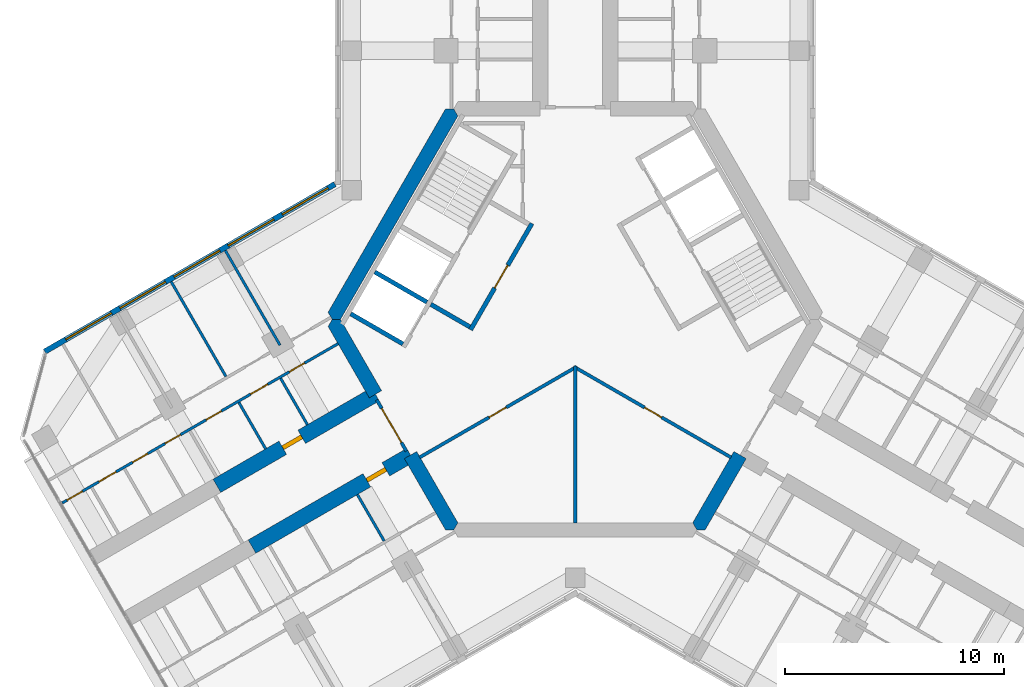
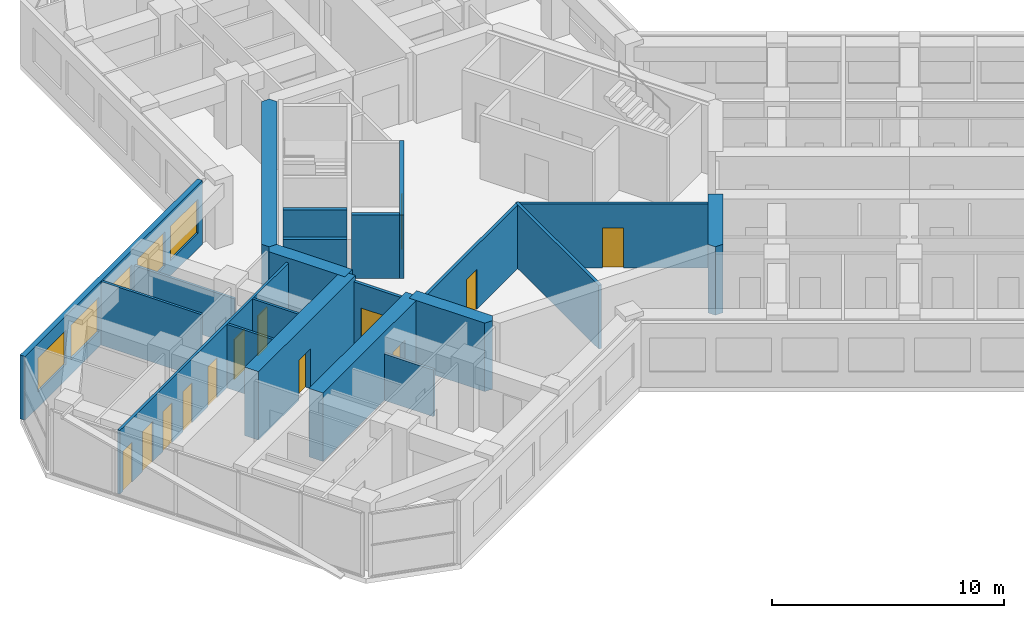
# One storey, part 9 of 16: 21 walls, 13 doors, 5 windows, 18 openings.
"""IFC4 building model written with IfcOpenShell, lengths in metres."""

from ifc_helpers import new_model, si_unit, direction, frame, frame_2d, origin, place, context, subcontext, project, spatial, polyline, rectangle, outline, extrude, material, layer, layer_set, type_object, element, fill, save


model = new_model("IFC4")

# Units and contexts
model_context = context("Model", 3, precision=1e-05, world=origin(), true_north=direction((0.0, 1.0)))
body_context = subcontext(model_context, "Body", "Model", "MODEL_VIEW")
ifc_project = project(units=[si_unit("LENGTHUNIT", "METRE"), si_unit("AREAUNIT", "SQUARE_METRE"), si_unit("VOLUMEUNIT", "CUBIC_METRE"), si_unit("PLANEANGLEUNIT", "RADIAN"), si_unit("MASSUNIT", "GRAM", prefix="KILO")], contexts=[model_context])

# Site, building, storey
site_placement = place(None, origin())
site = spatial("IfcSite", under=ifc_project, at=site_placement, CompositionType="ELEMENT")
building_placement = place(site_placement, origin())
building = spatial("IfcBuilding", under=site, at=building_placement, Name="Kosmar Iwan School Tower", CompositionType="ELEMENT")
storey_placement = place(building_placement, frame((0.0, 0.0, 204.60009765625)))
storey = spatial("IfcBuildingStorey", under=building, at=storey_placement, Name="L51", CompositionType="ELEMENT", Elevation=204.60009765625)

# Wall
ifc_material_1 = material(Name="Gypsum board on steel studs, fire-rated", Category="steel")
ifc_layer_1 = layer(ifc_material_1, 0.14990234375)
ifc_layer_set_1 = layer_set([ifc_layer_1], Name="Core room partition 150")
wall_type_1 = type_object("IfcWallType", Name="Core room partition 150", PredefinedType="PARTITIONING", material=ifc_layer_set_1)
wall_1_placement = place(storey_placement, frame((0.0, -9.294921875, 0.0), z_axis=(0.0, 0.0, 1.0), x_axis=(0.0, 1.0, 0.0)))
element("IfcWall", 1, at=wall_1_placement, inside=storey, type_object=wall_type_1, Name="Core room partition L51-CW5", PredefinedType="PARTITIONING", context=body_context, shape_type="SweptSolid", body=[
    extrude(rectangle(XDim=7.176025390625, YDim=0.14990234375, at=frame_2d((3.587890625, 0.0))), origin(), (0.0, 0.0, 1.0), 3.349853515625),
])

# Wall, opening, door
wall_2_placement = place(storey_placement, frame((-0.06494140625, -2.156494140625, 0.0), z_axis=(0.0, 0.0, 1.0), x_axis=(0.866024394272, -0.500001748523, 0.0)))
wall_2 = element("IfcWall", 2, at=wall_2_placement, inside=storey, type_object=wall_type_1, Name="Core room partition L51-CW6", PredefinedType="PARTITIONING", context=body_context, shape_type="SweptSolid", body=[
    extrude(rectangle(XDim=8.27294921875, YDim=0.14990234375, at=frame_2d((4.136474609375, 0.0))), origin(), (0.0, 0.0, 1.0), 3.349853515625),
])
opening_1_placement = place(wall_2_placement, frame((3.721923828125, 0.0, 0.0)))
opening_1 = element("IfcOpeningElement", 3, at=opening_1_placement, cuts=wall_2, Name="Opening D14", PredefinedType="OPENING", context=body_context, shape_type="SweptSolid", body=[
    extrude(rectangle(XDim=0.89990234375, YDim=2.10009765625, at=frame_2d((0.449951171875, 1.050048828125))), frame((0.0, 0.0869140625, 0.0), z_axis=(0.0, -1.0, 0.0), x_axis=(1.0, 0.0, 0.0)), (0.0, 0.0, 1.0), 0.173828125),
])
ifc_material_2 = material(Name="Timber fire door in steel frame", Category="steel")
door_type_1 = type_object("IfcDoorType", Name="Core room door 900x2100", OperationType="SINGLE_SWING_LEFT", PredefinedType="DOOR", material=ifc_material_2)
door_1_placement = place(opening_1_placement, origin())
door_1 = element("IfcDoor", 4, at=door_1_placement, inside=storey, type_object=door_type_1, Name="Refuse and recycling room door L51 3", OperationType="SINGLE_SWING_RIGHT", OverallHeight=2.10009765625, OverallWidth=0.89990234375, PredefinedType="DOOR", context=body_context, shape_type="SweptSolid", body=[
    extrude(rectangle(XDim=0.89990234375, YDim=2.10009765625, at=frame_2d((0.449951171875, 1.050048828125))), frame((0.0, 0.02490234375, 0.0), z_axis=(0.0, -1.0, 0.0), x_axis=(1.0, 0.0, 0.0)), (0.0, 0.0, 1.0), 0.050048828125),
])
fill(opening_1, door_1)

wall_3_placement = place(storey_placement, frame((-7.099609375, -6.29296875, 0.0), z_axis=(0.0, 0.0, 1.0), x_axis=(0.866024394272, 0.500001748523, 0.0)))
wall_3 = element("IfcWall", 5, at=wall_3_placement, inside=storey, type_object=wall_type_1, Name="Core room partition L51-CW7", PredefinedType="PARTITIONING", context=body_context, shape_type="SweptSolid", body=[
    extrude(rectangle(XDim=8.27294921875, YDim=0.14990234375, at=frame_2d((4.136474609375, 0.0))), origin(), (0.0, 0.0, 1.0), 3.349853515625),
])
opening_2_placement = place(wall_3_placement, frame((3.652099609375, 0.0, 0.0)))
opening_2 = element("IfcOpeningElement", 6, at=opening_2_placement, cuts=wall_3, Name="Opening D14", PredefinedType="OPENING", context=body_context, shape_type="SweptSolid", body=[
    extrude(rectangle(XDim=0.89990234375, YDim=2.10009765625, at=frame_2d((0.449951171875, 1.050048828125))), frame((0.0, 0.0869140625, 0.0), z_axis=(0.0, -1.0, 0.0), x_axis=(1.0, 0.0, 0.0)), (0.0, 0.0, 1.0), 0.173828125),
])
door_2_placement = place(opening_2_placement, origin())
door_2 = element("IfcDoor", 7, at=door_2_placement, inside=storey, type_object=door_type_1, Name="Bulky waste store door L51 4", OperationType="SINGLE_SWING_LEFT", OverallHeight=2.10009765625, OverallWidth=0.89990234375, PredefinedType="DOOR", context=body_context, shape_type="SweptSolid", body=[
    extrude(rectangle(XDim=0.89990234375, YDim=2.10009765625, at=frame_2d((0.449951171875, 1.050048828125))), frame((0.0, 0.02490234375, 0.0), z_axis=(0.0, -1.0, 0.0), x_axis=(1.0, 0.0, 0.0)), (0.0, 0.0, 1.0), 0.050048828125),
])
fill(opening_2, door_2)

# Walls
ifc_material_3 = material(Name="Concrete C50/60", Category="concrete")
ifc_layer_2 = layer(ifc_material_3, 0.64990234375)
ifc_layer_set_2 = layer_set([ifc_layer_2], Name="Core wall 650")
wall_type_2 = type_object("IfcWallType", Name="Core wall 650", PredefinedType="SHEAR", material=ifc_layer_set_2)
wall_4_placement = place(storey_placement, origin())
element("IfcWall", 8, at=wall_4_placement, inside=storey, type_object=wall_type_2, Name="Core wall F150", PredefinedType="SHEAR", context=body_context, shape_type="SweptSolid", body=[
    extrude(outline(polyline([(-11.085205078125, 0.0), (-10.7099609375, 0.0), (-5.35498046875, 9.27490234375), (-5.54248046875, 9.60009765625), (-5.917724609375, 9.60009765625), (-11.272705078125, 0.324951171875), (-11.085205078125, 0.0)])), origin(), (0.0, 0.0, 1.0), 3.599853515625),
])
wall_5_placement = place(storey_placement, origin())
element("IfcWall", 9, at=wall_5_placement, inside=storey, type_object=wall_type_2, Name="Core wall F210a", PredefinedType="SHEAR", context=body_context, shape_type="SweptSolid", body=[
    extrude(outline(polyline([(-9.395263671875, -3.576904296875), (-8.832275390625, -3.251953125), (-10.7099609375, 0.0), (-11.085205078125, 0.0), (-11.272705078125, -0.324951171875), (-9.395263671875, -3.576904296875)])), origin(), (0.0, 0.0, 1.0), 3.599853515625),
])
wall_6_placement = place(storey_placement, origin())
element("IfcWall", 10, at=wall_6_placement, inside=storey, type_object=wall_type_2, Name="Core wall F210b", PredefinedType="SHEAR", context=body_context, shape_type="SweptSolid", body=[
    extrude(outline(polyline([(-5.917724609375, -9.60009765625), (-5.54248046875, -9.60009765625), (-5.35498046875, -9.27490234375), (-7.232421875, -6.023193359375), (-7.79541015625, -6.34814453125), (-5.917724609375, -9.60009765625)])), origin(), (0.0, 0.0, 1.0), 3.599853515625),
])
wall_7_placement = place(storey_placement, origin())
element("IfcWall", 11, at=wall_7_placement, inside=storey, type_object=wall_type_2, Name="Core wall F330a", PredefinedType="SHEAR", context=body_context, shape_type="SweptSolid", body=[
    extrude(outline(polyline([(5.54248046875, -9.60009765625), (5.917724609375, -9.60009765625), (7.79541015625, -6.34814453125), (7.232421875, -6.023193359375), (5.35498046875, -9.27490234375), (5.54248046875, -9.60009765625)])), origin(), (0.0, 0.0, 1.0), 3.599853515625),
])

# Wall, opening, door
ifc_material_4 = material(Name="Concrete C50/60", Category="concrete")
ifc_layer_3 = layer(ifc_material_4, 0.699951171875)
ifc_layer_set_3 = layer_set([ifc_layer_3], Name="Corridor buttress wall 700")
wall_type_3 = type_object("IfcWallType", Name="Corridor buttress wall 700", PredefinedType="SHEAR", material=ifc_layer_set_3)
wall_8_placement = place(storey_placement, frame((-7.513916015625, -6.185546875, 0.0), z_axis=(0.0, 0.0, 1.0), x_axis=(-0.866019549707, -0.500010139422, 0.0)))
wall_8 = element("IfcWall", 12, at=wall_8_placement, inside=storey, type_object=wall_type_3, Name="Corridor wall BL", PredefinedType="SHEAR", context=body_context, shape_type="SweptSolid", body=[
    extrude(rectangle(XDim=8.349853515625, YDim=0.699951171875, at=frame_2d((4.1748046875, 0.0))), origin(), (0.0, 0.0, 1.0), 3.599853515625),
])
opening_3_placement = place(wall_8_placement, frame((1.300048828125, 0.0, 0.0)))
opening_3 = element("IfcOpeningElement", 13, at=opening_3_placement, cuts=wall_8, Name="Opening D1", PredefinedType="OPENING", context=body_context, shape_type="SweptSolid", body=[
    extrude(rectangle(XDim=1.0, YDim=2.10009765625, at=frame_2d((0.5, 1.050048828125))), frame((0.0, 0.362060546875, 0.0), z_axis=(0.0, -1.0, 0.0), x_axis=(1.0, 0.0, 0.0)), (0.0, 0.0, 1.0), 0.723876953125),
])
ifc_material_5 = material(Name="Timber fire door in steel frame", Category="steel")
door_type_2 = type_object("IfcDoorType", Name="Flat entrance door 1000x2100", OperationType="SINGLE_SWING_LEFT", PredefinedType="DOOR", material=ifc_material_5)
door_3_placement = place(opening_3_placement, origin())
door_3 = element("IfcDoor", 14, at=door_3_placement, inside=storey, type_object=door_type_2, Name="Flat L51-BL1 entrance door", OperationType="SINGLE_SWING_RIGHT", OverallHeight=2.10009765625, OverallWidth=1.0, PredefinedType="DOOR", context=body_context, shape_type="SweptSolid", body=[
    extrude(rectangle(XDim=1.0, YDim=2.10009765625, at=frame_2d((0.5, 1.050048828125))), frame((0.0, 0.10009765625, 0.0), z_axis=(0.0, -1.0, 0.0), x_axis=(1.0, 0.0, 0.0)), (0.0, 0.0, 1.0), 0.199951171875),
])
fill(opening_3, door_3)

wall_9_placement = place(storey_placement, frame((-9.11376953125, -3.414306640625, 0.0), z_axis=(0.0, 0.0, 1.0), x_axis=(-0.866026859388, -0.499997478812, 0.0)))
wall_9 = element("IfcWall", 15, at=wall_9_placement, inside=storey, type_object=wall_type_3, Name="Corridor wall BR", PredefinedType="SHEAR", context=body_context, shape_type="SweptSolid", body=[
    extrude(rectangle(XDim=8.35009765625, YDim=0.699951171875, at=frame_2d((4.175048828125, 0.0))), origin(), (0.0, 0.0, 1.0), 3.599853515625),
])
opening_4_placement = place(wall_9_placement, frame((3.8798828125, 0.0, 0.0)))
opening_4 = element("IfcOpeningElement", 16, at=opening_4_placement, cuts=wall_9, Name="Opening D1", PredefinedType="OPENING", context=body_context, shape_type="SweptSolid", body=[
    extrude(rectangle(XDim=1.0, YDim=2.10009765625, at=frame_2d((0.5, 1.050048828125))), frame((0.0, 0.362060546875, 0.0), z_axis=(0.0, -1.0, 0.0), x_axis=(1.0, 0.0, 0.0)), (0.0, 0.0, 1.0), 0.723876953125),
])
door_4_placement = place(opening_4_placement, origin())
door_4 = element("IfcDoor", 17, at=door_4_placement, inside=storey, type_object=door_type_2, Name="Flat L51-BR1 entrance door", OperationType="SINGLE_SWING_RIGHT", OverallHeight=2.10009765625, OverallWidth=1.0, PredefinedType="DOOR", context=body_context, shape_type="SweptSolid", body=[
    extrude(rectangle(XDim=1.0, YDim=2.10009765625, at=frame_2d((0.5, 1.050048828125))), frame((0.0, 0.10009765625, 0.0), z_axis=(0.0, -1.0, 0.0), x_axis=(1.0, 0.0, 0.0)), (0.0, 0.0, 1.0), 0.199951171875),
])
fill(opening_4, door_4)

ifc_material_6 = material(Name="Steel framed glazed screen", Category="steel")
ifc_layer_4 = layer(ifc_material_6, 0.14990234375)
ifc_layer_set_4 = layer_set([ifc_layer_4], Name="Corridor screen wall 150")
wall_type_4 = type_object("IfcWallType", Name="Corridor screen wall 150", PredefinedType="PARTITIONING", material=ifc_layer_set_4)
wall_10_placement = place(storey_placement, frame((-9.0537109375, -3.66845703125, 0.0), z_axis=(0.0, 0.0, 1.0), x_axis=(0.499980770555, -0.866036505625, 0.0)))
wall_10 = element("IfcWall", 18, at=wall_10_placement, inside=storey, type_object=wall_type_4, Name="Corridor screen B L51", PredefinedType="PARTITIONING", context=body_context, shape_type="SweptSolid", body=[
    extrude(rectangle(XDim=2.69970703125, YDim=0.14990234375, at=frame_2d((1.349853515625, 0.0))), origin(), (0.0, 0.0, 1.0), 3.349853515625),
])
opening_5_placement = place(wall_10_placement, frame((0.449951171875, 0.0, 0.0)))
opening_5 = element("IfcOpeningElement", 19, at=opening_5_placement, cuts=wall_10, Name="Opening D9", PredefinedType="OPENING", context=body_context, shape_type="SweptSolid", body=[
    extrude(rectangle(XDim=1.800048828125, YDim=2.10009765625, at=frame_2d((0.89990234375, 1.050048828125))), frame((0.0, 0.0869140625, 0.0), z_axis=(0.0, -1.0, 0.0), x_axis=(1.0, 0.0, 0.0)), (0.0, 0.0, 1.0), 0.173828125),
])
ifc_material_7 = material(Name="Steel framed glazed smoke door", Category="steel")
door_type_3 = type_object("IfcDoorType", Name="Corridor smoke door pair 1800x2100", OperationType="DOUBLE_DOOR_DOUBLE_SWING", PredefinedType="DOOR", material=ifc_material_7)
door_5_placement = place(opening_5_placement, origin())
door_5 = element("IfcDoor", 20, at=door_5_placement, inside=storey, type_object=door_type_3, Name="Corridor doors B L51", OperationType="DOUBLE_DOOR_DOUBLE_SWING", OverallHeight=2.10009765625, OverallWidth=1.800048828125, PredefinedType="DOOR", context=body_context, shape_type="SweptSolid", body=[
    extrude(rectangle(XDim=1.800048828125, YDim=2.10009765625, at=frame_2d((0.89990234375, 1.050048828125))), frame((0.0, 0.02490234375, 0.0), z_axis=(0.0, -1.0, 0.0), x_axis=(1.0, 0.0, 0.0)), (0.0, 0.0, 1.0), 0.050048828125),
])
fill(opening_5, door_5)

# Wall
ifc_material_8 = material(Name="Gypsum board on steel studs", Category="steel")
ifc_layer_5 = layer(ifc_material_8, 0.1201171875)
ifc_layer_set_5 = layer_set([ifc_layer_5], Name="Dwelling partition 120")
wall_type_5 = type_object("IfcWallType", Name="Dwelling partition 120", PredefinedType="PARTITIONING", material=ifc_layer_set_5)
wall_11_placement = place(storey_placement, frame((-9.93701171875, -7.98876953125, 0.0), z_axis=(0.0, 0.0, 1.0), x_axis=(0.500077547548, -0.865980627057, 0.0)))
element("IfcWall", 21, at=wall_11_placement, inside=storey, type_object=wall_type_5, Name="Partition L51-BL1-Y1", PredefinedType="PARTITIONING", context=body_context, shape_type="SweptSolid", body=[
    extrude(rectangle(XDim=2.43994140625, YDim=0.1201171875, at=frame_2d((1.219970703125, 0.0))), origin(), (0.0, 0.0, 1.0), 2.449951171875),
])

# Wall, openings, doors
wall_12_placement = place(storey_placement, frame((-10.8203125, -1.108642578125, 0.0), z_axis=(0.0, 0.0, 1.0), x_axis=(-0.866025425371, -0.499999962611, 0.0)))
wall_12 = element("IfcWall", 22, at=wall_12_placement, inside=storey, type_object=wall_type_5, Name="Partition L51-BR1-W1", PredefinedType="PARTITIONING", context=body_context, shape_type="SweptSolid", body=[
    extrude(rectangle(XDim=14.52001953125, YDim=0.1201171875, at=frame_2d((7.260009765625, 0.0))), origin(), (0.0, 0.0, 1.0), 3.349853515625),
])
opening_6_placement = place(wall_12_placement, frame((1.764892578125, 0.0, 0.0)))
opening_6 = element("IfcOpeningElement", 23, at=opening_6_placement, cuts=wall_12, Name="Opening D3", PredefinedType="OPENING", context=body_context, shape_type="SweptSolid", body=[
    extrude(rectangle(XDim=0.800048828125, YDim=2.10009765625, at=frame_2d((0.39990234375, 1.050048828125))), frame((0.0, 0.072021484375, 0.0), z_axis=(0.0, -1.0, 0.0), x_axis=(1.0, 0.0, 0.0)), (0.0, 0.0, 1.0), 0.14404296875),
])
opening_7_placement = place(wall_12_placement, frame((3.705078125, 0.0, 0.0)))
opening_7 = element("IfcOpeningElement", 24, at=opening_7_placement, cuts=wall_12, Name="Opening D2", PredefinedType="OPENING", context=body_context, shape_type="SweptSolid", body=[
    extrude(rectangle(XDim=0.89990234375, YDim=2.10009765625, at=frame_2d((0.449951171875, 1.050048828125))), frame((0.0, 0.072021484375, 0.0), z_axis=(0.0, -1.0, 0.0), x_axis=(1.0, 0.0, 0.0)), (0.0, 0.0, 1.0), 0.14404296875),
])
opening_8_placement = place(wall_12_placement, frame((6.146484375, 0.0, 0.0)))
opening_8 = element("IfcOpeningElement", 25, at=opening_8_placement, cuts=wall_12, Name="Opening D3", PredefinedType="OPENING", context=body_context, shape_type="SweptSolid", body=[
    extrude(rectangle(XDim=0.800048828125, YDim=2.10009765625, at=frame_2d((0.39990234375, 1.050048828125))), frame((0.0, 0.072021484375, 0.0), z_axis=(0.0, -1.0, 0.0), x_axis=(1.0, 0.0, 0.0)), (0.0, 0.0, 1.0), 0.14404296875),
])
opening_9_placement = place(wall_12_placement, frame((8.298583984375, 0.0, 0.0)))
opening_9 = element("IfcOpeningElement", 26, at=opening_9_placement, cuts=wall_12, Name="Opening D3", PredefinedType="OPENING", context=body_context, shape_type="SweptSolid", body=[
    extrude(rectangle(XDim=0.800048828125, YDim=2.10009765625, at=frame_2d((0.39990234375, 1.050048828125))), frame((0.0, 0.072021484375, 0.0), z_axis=(0.0, -1.0, 0.0), x_axis=(1.0, 0.0, 0.0)), (0.0, 0.0, 1.0), 0.14404296875),
])
opening_10_placement = place(wall_12_placement, frame((10.0205078125, 0.0, 0.0)))
opening_10 = element("IfcOpeningElement", 27, at=opening_10_placement, cuts=wall_12, Name="Opening D3", PredefinedType="OPENING", context=body_context, shape_type="SweptSolid", body=[
    extrude(rectangle(XDim=0.800048828125, YDim=2.10009765625, at=frame_2d((0.39990234375, 1.050048828125))), frame((0.0, 0.072021484375, 0.0), z_axis=(0.0, -1.0, 0.0), x_axis=(1.0, 0.0, 0.0)), (0.0, 0.0, 1.0), 0.14404296875),
])
opening_11_placement = place(wall_12_placement, frame((11.6923828125, 0.0, 0.0)))
opening_11 = element("IfcOpeningElement", 28, at=opening_11_placement, cuts=wall_12, Name="Opening D2", PredefinedType="OPENING", context=body_context, shape_type="SweptSolid", body=[
    extrude(rectangle(XDim=0.89990234375, YDim=2.10009765625, at=frame_2d((0.449951171875, 1.050048828125))), frame((0.0, 0.072021484375, 0.0), z_axis=(0.0, -1.0, 0.0), x_axis=(1.0, 0.0, 0.0)), (0.0, 0.0, 1.0), 0.14404296875),
])
opening_12_placement = place(wall_12_placement, frame((13.464111328125, 0.0, 0.0)))
opening_12 = element("IfcOpeningElement", 29, at=opening_12_placement, cuts=wall_12, Name="Opening D3", PredefinedType="OPENING", context=body_context, shape_type="SweptSolid", body=[
    extrude(rectangle(XDim=0.800048828125, YDim=2.10009765625, at=frame_2d((0.39990234375, 1.050048828125))), frame((0.0, 0.072021484375, 0.0), z_axis=(0.0, -1.0, 0.0), x_axis=(1.0, 0.0, 0.0)), (0.0, 0.0, 1.0), 0.14404296875),
])
ifc_material_9 = material(Name="Timber door in timber frame", Category="wood")
door_type_4 = type_object("IfcDoorType", Name="Internal door 900x2100", OperationType="SINGLE_SWING_LEFT", PredefinedType="DOOR", material=ifc_material_9)
door_6_placement = place(opening_7_placement, origin())
door_6 = element("IfcDoor", 30, at=door_6_placement, inside=storey, type_object=door_type_4, Name="Entrance hall door L51-BR1-S2", OperationType="SINGLE_SWING_LEFT", OverallHeight=2.10009765625, OverallWidth=0.89990234375, PredefinedType="DOOR", context=body_context, shape_type="SweptSolid", body=[
    extrude(rectangle(XDim=0.89990234375, YDim=2.10009765625, at=frame_2d((0.449951171875, 1.050048828125))), frame((0.0, 0.02490234375, 0.0), z_axis=(0.0, -1.0, 0.0), x_axis=(1.0, 0.0, 0.0)), (0.0, 0.0, 1.0), 0.050048828125),
])
fill(opening_7, door_6)
door_7_placement = place(opening_11_placement, origin())
door_7 = element("IfcDoor", 31, at=door_7_placement, inside=storey, type_object=door_type_4, Name="Pantry door L51-BR1-S6", OperationType="SINGLE_SWING_LEFT", OverallHeight=2.10009765625, OverallWidth=0.89990234375, PredefinedType="DOOR", context=body_context, shape_type="SweptSolid", body=[
    extrude(rectangle(XDim=0.89990234375, YDim=2.10009765625, at=frame_2d((0.449951171875, 1.050048828125))), frame((0.0, 0.02490234375, 0.0), z_axis=(0.0, -1.0, 0.0), x_axis=(1.0, 0.0, 0.0)), (0.0, 0.0, 1.0), 0.050048828125),
])
fill(opening_11, door_7)
ifc_material_10 = material(Name="Timber door in timber frame", Category="wood")
door_type_5 = type_object("IfcDoorType", Name="Sanitary room door 800x2100", OperationType="SINGLE_SWING_LEFT", PredefinedType="DOOR", material=ifc_material_10)
door_8_placement = place(opening_6_placement, origin())
door_8 = element("IfcDoor", 32, at=door_8_placement, inside=storey, type_object=door_type_5, Name="WC door L51-BR1-S1", OperationType="SINGLE_SWING_RIGHT", OverallHeight=2.10009765625, OverallWidth=0.800048828125, PredefinedType="DOOR", context=body_context, shape_type="SweptSolid", body=[
    extrude(rectangle(XDim=0.800048828125, YDim=2.10009765625, at=frame_2d((0.39990234375, 1.050048828125))), frame((0.0, 0.02490234375, 0.0), z_axis=(0.0, -1.0, 0.0), x_axis=(1.0, 0.0, 0.0)), (0.0, 0.0, 1.0), 0.050048828125),
])
fill(opening_6, door_8)
door_9_placement = place(opening_8_placement, origin())
door_9 = element("IfcDoor", 33, at=door_9_placement, inside=storey, type_object=door_type_5, Name="Bathroom door L51-BR1-S3", OperationType="SINGLE_SWING_RIGHT", OverallHeight=2.10009765625, OverallWidth=0.800048828125, PredefinedType="DOOR", context=body_context, shape_type="SweptSolid", body=[
    extrude(rectangle(XDim=0.800048828125, YDim=2.10009765625, at=frame_2d((0.39990234375, 1.050048828125))), frame((0.0, 0.02490234375, 0.0), z_axis=(0.0, -1.0, 0.0), x_axis=(1.0, 0.0, 0.0)), (0.0, 0.0, 1.0), 0.050048828125),
])
fill(opening_8, door_9)
door_10_placement = place(opening_9_placement, origin())
door_10 = element("IfcDoor", 34, at=door_10_placement, inside=storey, type_object=door_type_5, Name="Grandparents' shower room door L51-BR1-S4", OperationType="SINGLE_SWING_LEFT", OverallHeight=2.10009765625, OverallWidth=0.800048828125, PredefinedType="DOOR", context=body_context, shape_type="SweptSolid", body=[
    extrude(rectangle(XDim=0.800048828125, YDim=2.10009765625, at=frame_2d((0.39990234375, 1.050048828125))), frame((0.0, 0.02490234375, 0.0), z_axis=(0.0, -1.0, 0.0), x_axis=(1.0, 0.0, 0.0)), (0.0, 0.0, 1.0), 0.050048828125),
])
fill(opening_9, door_10)
door_11_placement = place(opening_10_placement, origin())
door_11 = element("IfcDoor", 35, at=door_11_placement, inside=storey, type_object=door_type_5, Name="Shower room door L51-BR1-S5", OperationType="SINGLE_SWING_RIGHT", OverallHeight=2.10009765625, OverallWidth=0.800048828125, PredefinedType="DOOR", context=body_context, shape_type="SweptSolid", body=[
    extrude(rectangle(XDim=0.800048828125, YDim=2.10009765625, at=frame_2d((0.39990234375, 1.050048828125))), frame((0.0, 0.02490234375, 0.0), z_axis=(0.0, -1.0, 0.0), x_axis=(1.0, 0.0, 0.0)), (0.0, 0.0, 1.0), 0.050048828125),
])
fill(opening_10, door_11)
door_12_placement = place(opening_12_placement, origin())
door_12 = element("IfcDoor", 36, at=door_12_placement, inside=storey, type_object=door_type_5, Name="Store door L51-BR1-S7", OperationType="SINGLE_SWING_RIGHT", OverallHeight=2.10009765625, OverallWidth=0.800048828125, PredefinedType="DOOR", context=body_context, shape_type="SweptSolid", body=[
    extrude(rectangle(XDim=0.800048828125, YDim=2.10009765625, at=frame_2d((0.39990234375, 1.050048828125))), frame((0.0, 0.02490234375, 0.0), z_axis=(0.0, -1.0, 0.0), x_axis=(1.0, 0.0, 0.0)), (0.0, 0.0, 1.0), 0.050048828125),
])
fill(opening_12, door_12)

# Walls
wall_13_placement = place(storey_placement, frame((-13.4638671875, -1.179931640625, 0.0), z_axis=(0.0, 0.0, 1.0), x_axis=(-0.499975153383, 0.86603974851, 0.0)))
element("IfcWall", 37, at=wall_13_placement, inside=storey, type_object=wall_type_5, Name="Partition L51-BR1-X1", PredefinedType="PARTITIONING", context=body_context, shape_type="SweptSolid", body=[
    extrude(rectangle(XDim=4.989990234375, YDim=0.1201171875, at=frame_2d((2.4951171875, 0.0))), origin(), (0.0, 0.0, 1.0), 2.449951171875),
])
wall_14_placement = place(storey_placement, frame((-15.931884765625, -2.60498046875, 0.0), z_axis=(0.0, 0.0, 1.0), x_axis=(-0.500011847778, 0.866018563358, 0.0)))
element("IfcWall", 38, at=wall_14_placement, inside=storey, type_object=wall_type_5, Name="Partition L51-BR1-X2", PredefinedType="PARTITIONING", context=body_context, shape_type="SweptSolid", body=[
    extrude(rectangle(XDim=4.990234375, YDim=0.1201171875, at=frame_2d((2.4951171875, 0.0))), origin(), (0.0, 0.0, 1.0), 3.349853515625),
])
wall_15_placement = place(storey_placement, frame((-12.216064453125, -4.80126953125, 0.0), z_axis=(0.0, 0.0, 1.0), x_axis=(-0.500002508028, 0.866023955769, 0.0)))
element("IfcWall", 39, at=wall_15_placement, inside=storey, type_object=wall_type_5, Name="Partition L51-BR1-Y1", PredefinedType="PARTITIONING", context=body_context, shape_type="SweptSolid", body=[
    extrude(rectangle(XDim=2.43994140625, YDim=0.1201171875, at=frame_2d((1.219970703125, 0.0))), origin(), (0.0, 0.0, 1.0), 3.349853515625),
])
wall_16_placement = place(storey_placement, frame((-14.121337890625, -5.9013671875, 0.0), z_axis=(0.0, 0.0, 1.0), x_axis=(-0.499959183527, 0.866048967903, 0.0)))
element("IfcWall", 40, at=wall_16_placement, inside=storey, type_object=wall_type_5, Name="Partition L51-BR1-Y2", PredefinedType="PARTITIONING", context=body_context, shape_type="SweptSolid", body=[
    extrude(rectangle(XDim=2.440185546875, YDim=0.1201171875, at=frame_2d((1.22021484375, 0.0))), origin(), (0.0, 0.0, 1.0), 3.349853515625),
])

# Wall, openings, windows
ifc_material_11 = material(Name="Black aluminium rainscreen on insulated framing", Category="aluminium")
ifc_layer_6 = layer(ifc_material_11, 0.25)
ifc_layer_set_6 = layer_set([ifc_layer_6], Name="External wall rainscreen 250")
wall_type_6 = type_object("IfcWallType", Name="External wall rainscreen 250", PredefinedType="SOLIDWALL", material=ifc_layer_set_6)
wall_17_placement = place(storey_placement, frame((-10.962890625, 6.170166015625, 0.0), z_axis=(0.0, 0.0, 1.0), x_axis=(-0.866025637253, -0.499999595621, 0.0)))
wall_17 = element("IfcWall", 41, at=wall_17_placement, inside=storey, type_object=wall_type_6, Name="External wall BR L51", PredefinedType="SOLIDWALL", context=body_context, shape_type="SweptSolid", body=[
    extrude(rectangle(XDim=15.2763671875, YDim=0.25, at=frame_2d((7.63818359375, 0.0))), origin(), (0.0, 0.0, 1.0), 3.349853515625),
])
opening_13_placement = place(wall_17_placement, frame((0.365966796875, 0.0, 0.800048828125)))
opening_13 = element("IfcOpeningElement", 42, at=opening_13_placement, cuts=wall_17, Name="Opening W5", PredefinedType="OPENING", context=body_context, shape_type="SweptSolid", body=[
    extrude(rectangle(XDim=2.39990234375, YDim=1.800048828125, at=frame_2d((1.199951171875, 0.89990234375))), frame((0.0, 0.136962890625, 0.0), z_axis=(0.0, -1.0, 0.0), x_axis=(1.0, 0.0, 0.0)), (0.0, 0.0, 1.0), 0.27392578125),
])
opening_14_placement = place(wall_17_placement, frame((3.216064453125, 0.0, 0.800048828125)))
opening_14 = element("IfcOpeningElement", 43, at=opening_14_placement, cuts=wall_17, Name="Opening W5", PredefinedType="OPENING", context=body_context, shape_type="SweptSolid", body=[
    extrude(rectangle(XDim=2.39990234375, YDim=1.800048828125, at=frame_2d((1.199951171875, 0.89990234375))), frame((0.0, 0.136962890625, 0.0), z_axis=(0.0, -1.0, 0.0), x_axis=(1.0, 0.0, 0.0)), (0.0, 0.0, 1.0), 0.27392578125),
])
opening_15_placement = place(wall_17_placement, frame((6.06591796875, 0.0, 0.800048828125)))
opening_15 = element("IfcOpeningElement", 44, at=opening_15_placement, cuts=wall_17, Name="Opening W5", PredefinedType="OPENING", context=body_context, shape_type="SweptSolid", body=[
    extrude(rectangle(XDim=2.39990234375, YDim=1.800048828125, at=frame_2d((1.199951171875, 0.89990234375))), frame((0.0, 0.136962890625, 0.0), z_axis=(0.0, -1.0, 0.0), x_axis=(1.0, 0.0, 0.0)), (0.0, 0.0, 1.0), 0.27392578125),
])
opening_16_placement = place(wall_17_placement, frame((8.916015625, 0.0, 0.800048828125)))
opening_16 = element("IfcOpeningElement", 45, at=opening_16_placement, cuts=wall_17, Name="Opening W5", PredefinedType="OPENING", context=body_context, shape_type="SweptSolid", body=[
    extrude(rectangle(XDim=2.39990234375, YDim=1.800048828125, at=frame_2d((1.199951171875, 0.89990234375))), frame((0.0, 0.136962890625, 0.0), z_axis=(0.0, -1.0, 0.0), x_axis=(1.0, 0.0, 0.0)), (0.0, 0.0, 1.0), 0.27392578125),
])
opening_17_placement = place(wall_17_placement, frame((11.76611328125, 0.0, 0.800048828125)))
opening_17 = element("IfcOpeningElement", 46, at=opening_17_placement, cuts=wall_17, Name="Opening W5", PredefinedType="OPENING", context=body_context, shape_type="SweptSolid", body=[
    extrude(rectangle(XDim=2.39990234375, YDim=1.800048828125, at=frame_2d((1.199951171875, 0.89990234375))), frame((0.0, 0.136962890625, 0.0), z_axis=(0.0, -1.0, 0.0), x_axis=(1.0, 0.0, 0.0)), (0.0, 0.0, 1.0), 0.27392578125),
])
ifc_material_12 = material(Name="Black aluminium frame with dark triple glazing", Category="aluminium")
window_type = type_object("IfcWindowType", Name="Window 2400x1800", PartitioningType="SINGLE_PANEL", PredefinedType="WINDOW", material=ifc_material_12)
window_1_placement = place(opening_13_placement, origin())
window_1 = element("IfcWindow", 47, at=window_1_placement, inside=storey, type_object=window_type, Name="Window BR L51 -1", OverallHeight=1.800048828125, OverallWidth=2.39990234375, PartitioningType="SINGLE_PANEL", PredefinedType="WINDOW", context=body_context, shape_type="SweptSolid", body=[
    extrude(rectangle(XDim=2.39990234375, YDim=1.800048828125, at=frame_2d((1.199951171875, 0.89990234375))), frame((0.0, 0.030029296875, 0.0), z_axis=(0.0, -1.0, 0.0), x_axis=(1.0, 0.0, 0.0)), (0.0, 0.0, 1.0), 0.06005859375),
])
fill(opening_13, window_1)
window_2_placement = place(opening_14_placement, origin())
window_2 = element("IfcWindow", 48, at=window_2_placement, inside=storey, type_object=window_type, Name="Window BR L51 0", OverallHeight=1.800048828125, OverallWidth=2.39990234375, PartitioningType="SINGLE_PANEL", PredefinedType="WINDOW", context=body_context, shape_type="SweptSolid", body=[
    extrude(rectangle(XDim=2.39990234375, YDim=1.800048828125, at=frame_2d((1.199951171875, 0.89990234375))), frame((0.0, 0.030029296875, 0.0), z_axis=(0.0, -1.0, 0.0), x_axis=(1.0, 0.0, 0.0)), (0.0, 0.0, 1.0), 0.06005859375),
])
fill(opening_14, window_2)
window_3_placement = place(opening_15_placement, origin())
window_3 = element("IfcWindow", 49, at=window_3_placement, inside=storey, type_object=window_type, Name="Window BR L51 1", OverallHeight=1.800048828125, OverallWidth=2.39990234375, PartitioningType="SINGLE_PANEL", PredefinedType="WINDOW", context=body_context, shape_type="SweptSolid", body=[
    extrude(rectangle(XDim=2.39990234375, YDim=1.800048828125, at=frame_2d((1.199951171875, 0.89990234375))), frame((0.0, 0.030029296875, 0.0), z_axis=(0.0, -1.0, 0.0), x_axis=(1.0, 0.0, 0.0)), (0.0, 0.0, 1.0), 0.06005859375),
])
fill(opening_15, window_3)
window_4_placement = place(opening_16_placement, origin())
window_4 = element("IfcWindow", 50, at=window_4_placement, inside=storey, type_object=window_type, Name="Window BR L51 2", OverallHeight=1.800048828125, OverallWidth=2.39990234375, PartitioningType="SINGLE_PANEL", PredefinedType="WINDOW", context=body_context, shape_type="SweptSolid", body=[
    extrude(rectangle(XDim=2.39990234375, YDim=1.800048828125, at=frame_2d((1.199951171875, 0.89990234375))), frame((0.0, 0.030029296875, 0.0), z_axis=(0.0, -1.0, 0.0), x_axis=(1.0, 0.0, 0.0)), (0.0, 0.0, 1.0), 0.06005859375),
])
fill(opening_16, window_4)
window_5_placement = place(opening_17_placement, origin())
window_5 = element("IfcWindow", 51, at=window_5_placement, inside=storey, type_object=window_type, Name="Window BR L51 3", OverallHeight=1.800048828125, OverallWidth=2.39990234375, PartitioningType="SINGLE_PANEL", PredefinedType="WINDOW", context=body_context, shape_type="SweptSolid", body=[
    extrude(rectangle(XDim=2.39990234375, YDim=1.800048828125, at=frame_2d((1.199951171875, 0.89990234375))), frame((0.0, 0.030029296875, 0.0), z_axis=(0.0, -1.0, 0.0), x_axis=(1.0, 0.0, 0.0)), (0.0, 0.0, 1.0), 0.06005859375),
])
fill(opening_17, window_5)

# Wall, opening, door
ifc_material_13 = material(Name="Concrete block masonry", Category="masonry")
ifc_layer_7 = layer(ifc_material_13, 0.199951171875)
ifc_layer_set_7 = layer_set([ifc_layer_7], Name="Fire lobby wall 200")
wall_type_7 = type_object("IfcWallType", Name="Fire lobby wall 200", PredefinedType="PARTITIONING", material=ifc_layer_set_7)
wall_18_placement = place(storey_placement, frame((-1.9775390625, 4.374755859375, 0.0), z_axis=(0.0, 0.0, 1.0), x_axis=(-0.500016814911, -0.866015695474, 0.0)))
wall_18 = element("IfcWall", 52, at=wall_18_placement, inside=storey, type_object=wall_type_7, Name="Firefighting lobby wall ST2", PredefinedType="PARTITIONING", context=body_context, shape_type="SweptSolid", body=[
    extrude(rectangle(XDim=5.599853515625, YDim=0.199951171875, at=frame_2d((2.7998046875, 0.0))), origin(), (0.0, 0.0, 1.0), 3.349853515625),
])
opening_18_placement = place(wall_18_placement, frame((2.199951171875, 0.0, 0.0)))
opening_18 = element("IfcOpeningElement", 53, at=opening_18_placement, cuts=wall_18, Name="Opening D7", PredefinedType="OPENING", context=body_context, shape_type="SweptSolid", body=[
    extrude(rectangle(XDim=1.199951171875, YDim=2.10009765625, at=frame_2d((0.60009765625, 1.050048828125))), frame((0.0, 0.112060546875, 0.0), z_axis=(0.0, -1.0, 0.0), x_axis=(1.0, 0.0, 0.0)), (0.0, 0.0, 1.0), 0.223876953125),
])
ifc_material_14 = material(Name="Steel fire door", Category="steel")
door_type_6 = type_object("IfcDoorType", Name="Fire lobby door 1200x2100", OperationType="SINGLE_SWING_LEFT", PredefinedType="DOOR", material=ifc_material_14)
door_13_placement = place(opening_18_placement, origin())
door_13 = element("IfcDoor", 54, at=door_13_placement, inside=storey, type_object=door_type_6, Name="Firefighting lobby door ST2 L51", OperationType="SINGLE_SWING_RIGHT", OverallHeight=2.10009765625, OverallWidth=1.199951171875, PredefinedType="DOOR", context=body_context, shape_type="SweptSolid", body=[
    extrude(rectangle(XDim=1.199951171875, YDim=2.10009765625, at=frame_2d((0.60009765625, 1.050048828125))), frame((0.0, 0.02490234375, 0.0), z_axis=(0.0, -1.0, 0.0), x_axis=(1.0, 0.0, 0.0)), (0.0, 0.0, 1.0), 0.050048828125),
])
fill(opening_18, door_13)

# Walls
wall_19_placement = place(storey_placement, frame((-4.814208984375, -0.33837890625, 0.0), z_axis=(0.0, 0.0, 1.0), x_axis=(-0.865969381856, 0.500097020274, 0.0)))
element("IfcWall", 55, at=wall_19_placement, inside=storey, type_object=wall_type_7, Name="Firefighting lobby wall ST2", PredefinedType="PARTITIONING", context=body_context, shape_type="SweptSolid", body=[
    extrude(rectangle(XDim=2.0498046875, YDim=0.199951171875, at=frame_2d((1.02490234375, 0.0))), origin(), (0.0, 0.0, 1.0), 3.349853515625),
])
ifc_material_15 = material(Name="Concrete C50/60", Category="concrete")
ifc_layer_8 = layer(ifc_material_15, 0.199951171875)
ifc_layer_set_8 = layer_set([ifc_layer_8], Name="Lift shaft wall 200")
wall_type_8 = type_object("IfcWallType", Name="Lift shaft wall 200", PredefinedType="SHEAR", material=ifc_layer_set_8)
for number, where, z_axis, x_axis, name in (
    (56, (-6.7626953125, 0.78662109375, 0.0), (0.0, 0.0, 1.0), (-0.866027397988, 0.499996545922, 0.0), "Lift shaft wall AB 1"),
    (57, (-7.862548828125, -1.118408203125, 0.0), (0.0, 0.0, 1.0), (-0.866027397988, 0.499996545922, 0.0), "Lift shaft wall AB 2"),
):
    element("IfcWall", number, at=place(storey_placement, frame(where, z_axis=z_axis, x_axis=x_axis)), inside=storey, type_object=wall_type_8, Name=name, PredefinedType="SHEAR", context=body_context, shape_type="SweptSolid", body=[
        extrude(rectangle(XDim=2.75, YDim=0.199951171875, at=frame_2d((1.375, 0.0))), origin(), (0.0, 0.0, 1.0), 3.599853515625),
    ])

save(model, "model.ifc")
